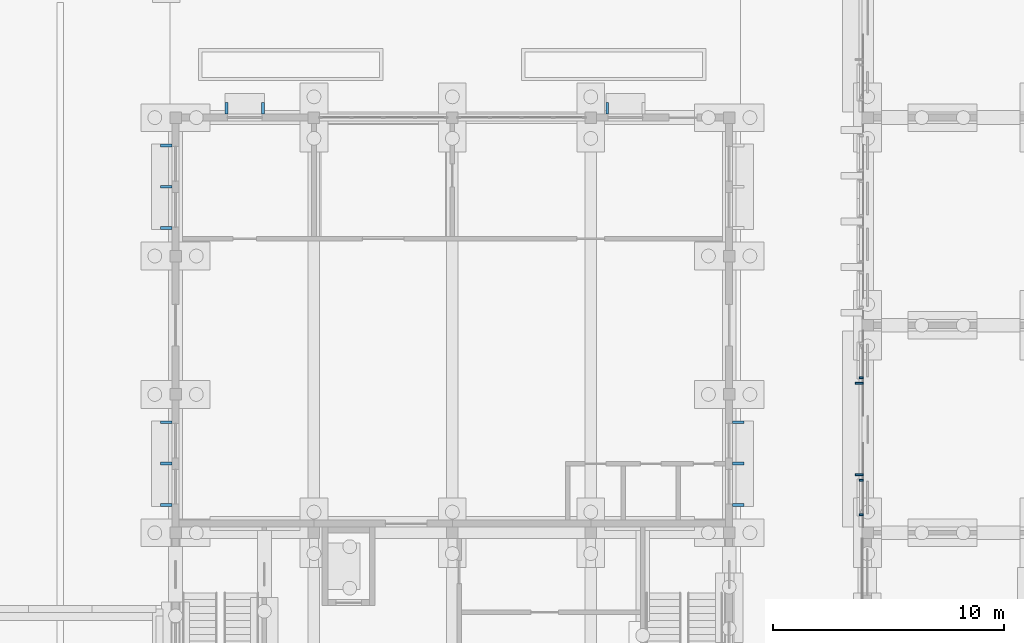
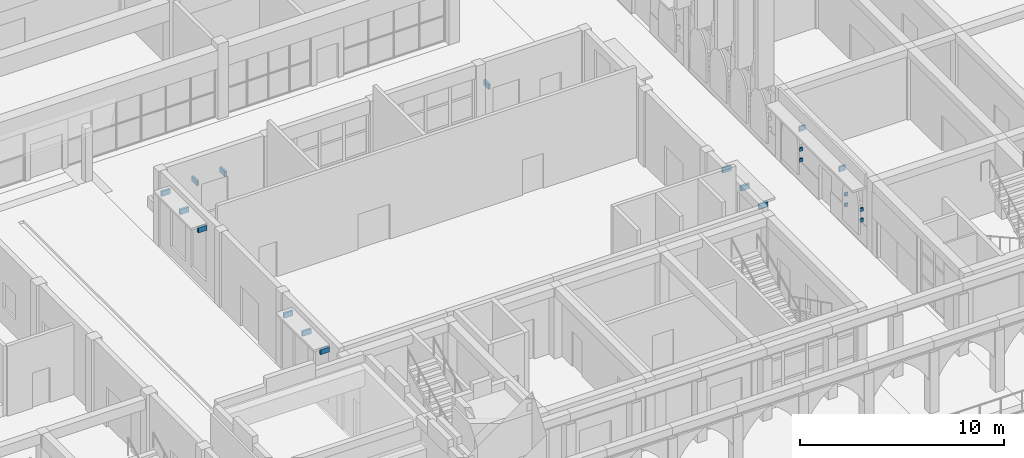
# One storey, part 78 of 161: 20 discrete accessories.
"""IFC4 building model written with IfcOpenShell, lengths in metres."""

import ifcopenshell
import ifcopenshell.guid

model = None  # the IFC model being written
_history = None  # IfcOwnerHistory: only IFC2X3 demands one
_inside = {}  # id of a spatial element -> (the spatial element, [elements in it])
_under = {}  # id of a project, library or spatial element -> (it, [spatial elements below it])
_declared = {}  # id of a project -> (the project, [libraries it declares])
_typed = {}  # id of a type object -> (the type object, [elements of that type])
_made_of = {}  # id of a material, layer set ... -> (it, [elements and type objects made of it])


def new_model(schema):
    """Start an empty IFC model of exactly this schema.

    Asked for "IFC4X3", IfcOpenShell would pick the latest addendum, in which some entities
    have other attributes; the version numbers below select the first issue.
    IFC2X3 requires an IfcOwnerHistory on every rooted entity: one is made here for all.
    """
    global model, _history
    if schema == "IFC4X3":
        model = ifcopenshell.file(schema_version=(4, 3, 0, 0))
    else:
        model = ifcopenshell.file(schema=schema)
    _inside.clear()
    _under.clear()
    _declared.clear()
    _typed.clear()
    _made_of.clear()
    _history = None
    if model.schema == "IFC2X3":
        org = make("IfcOrganization", Name="unknown")
        user = make(
            "IfcPersonAndOrganization",
            ThePerson=make("IfcPerson", FamilyName="unknown"),
            TheOrganization=org,
        )
        app = make(
            "IfcApplication",
            ApplicationDeveloper=org,
            Version="unknown",
            ApplicationFullName="unknown",
            ApplicationIdentifier="unknown",
        )
        _history = make(
            "IfcOwnerHistory",
            OwningUser=user,
            OwningApplication=app,
            ChangeAction="ADDED",
            CreationDate=0,
        )
    return model


def make(cls, **values):
    """One entity of the class cls with the attributes given. An attribute that is None is left unset."""
    return model.create_entity(
        cls, **{name: value for name, value in values.items() if value is not None}
    )


def rooted(cls, **values):
    """An entity with a GlobalId (a new one), such as an element, a storey or a relation."""
    return make(cls, GlobalId=ifcopenshell.guid.new(), OwnerHistory=_history, **values)


def si_unit(unit_type, name, prefix=None):
    """IfcSIUnit, for example si_unit("LENGTHUNIT", "METRE", prefix="MILLI")."""
    return make("IfcSIUnit", UnitType=unit_type, Prefix=prefix, Name=name)


def assignment(units):
    """IfcUnitAssignment: the units of a project."""
    return None if units is None else make("IfcUnitAssignment", Units=units)


def point(xyz):
    """IfcCartesianPoint."""
    return None if xyz is None else make("IfcCartesianPoint", Coordinates=xyz)


def direction(xyz):
    """IfcDirection."""
    return None if xyz is None else make("IfcDirection", DirectionRatios=xyz)


def frame(location, z_axis=None, x_axis=None):
    """IfcAxis2Placement3D, a coordinate frame: its origin and axes. An axis left out is left unset."""
    return make(
        "IfcAxis2Placement3D",
        Location=point(location),
        Axis=direction(z_axis),
        RefDirection=direction(x_axis),
    )


def frame_2d(location, x_axis=None):
    """IfcAxis2Placement2D, a coordinate frame in the plane: its origin and x axis."""
    return make(
        "IfcAxis2Placement2D", Location=point(location), RefDirection=direction(x_axis)
    )


def origin():
    """The frame at (0, 0, 0) with its axes left unset."""
    return frame((0.0, 0.0, 0.0))


def origin_2d():
    """The frame at (0, 0) in the plane with its x axis left unset."""
    return frame_2d((0.0, 0.0))


def place(relative_to, where):
    """IfcLocalPlacement: puts the frame where relative to a parent placement (None: the world)."""
    return make(
        "IfcLocalPlacement", PlacementRelTo=relative_to, RelativePlacement=where
    )


def context(
    kind, dimensions, precision=None, world=None, true_north=None, identifier=None
):
    """IfcGeometricRepresentationContext, for example the 3D "Model" context."""
    return make(
        "IfcGeometricRepresentationContext",
        ContextIdentifier=identifier,
        ContextType=kind,
        CoordinateSpaceDimension=dimensions,
        Precision=precision,
        WorldCoordinateSystem=world,
        TrueNorth=true_north,
    )


def subcontext(parent, identifier, kind, view, scale=None):
    """IfcGeometricRepresentationSubContext, for example "Body" below "Model"."""
    return make(
        "IfcGeometricRepresentationSubContext",
        ContextIdentifier=identifier,
        ContextType=kind,
        ParentContext=parent,
        TargetScale=scale,
        TargetView=view,
    )


def project(units=None, contexts=None):
    """IfcProject with its units and contexts."""
    return rooted(
        "IfcProject",
        Name="project",
        RepresentationContexts=contexts,
        UnitsInContext=assignment(units),
    )


def spatial(cls, under=None, at=None, **own):
    """A site, building, storey or space (cls), placed at a placement, below another one or the project."""
    s = rooted(cls, ObjectPlacement=at, **own)
    if under is not None:
        _under.setdefault(under.id(), (under, []))[1].append(s)
    return s


def profile(cls, at=None, kind="AREA", **sizes):
    """A parametric profile (cls). Its sizes go by their IFC names, for example OverallWidth=200.0."""
    return make(cls, ProfileType=kind, Position=at, **sizes)


def rectangle(**sizes):
    """IfcRectangleProfileDef."""
    return profile("IfcRectangleProfileDef", **sizes)


def extrude(swept, where, along, depth):
    """IfcExtrudedAreaSolid: the profile swept, set in the frame where, extruded along a direction by depth."""
    return make(
        "IfcExtrudedAreaSolid",
        SweptArea=swept,
        Position=where,
        ExtrudedDirection=direction(along),
        Depth=depth,
    )


def shape(context_of_items, identifier, shape_type, items):
    """IfcShapeRepresentation: the items that make up one representation, for example the "Body"."""
    return make(
        "IfcShapeRepresentation",
        ContextOfItems=context_of_items,
        RepresentationIdentifier=identifier,
        RepresentationType=shape_type,
        Items=items,
    )


def material(Name=None, Category=None):
    """IfcMaterial."""
    return make("IfcMaterial", Name=Name, Category=Category)


def made_of(thing, what):
    """Note that an element or type object is made of a material, layer set ...; save() writes the relation."""
    if what is not None:
        _made_of.setdefault(what.id(), (what, []))[1].append(thing)
    return thing


def type_object(cls, material=None, **own):
    """A type object (cls), such as IfcWallType, which elements share."""
    return made_of(rooted(cls, **own), material)


def element(
    cls,
    number,
    at=None,
    inside=None,
    cuts=None,
    type_object=None,
    material=None,
    context=None,
    identifier="Body",
    shape_type=None,
    held_by="IfcProductDefinitionShape",
    body=None,
    shapes=None,
    **own,
):
    """One element of the class cls, such as IfcWall. Its Tag is "e" and its number.

    at: its placement. inside: the storey or other place that contains it. cuts: it is an
    opening in that element (IfcRelVoidsElement). A single representation is given by context,
    identifier, shape_type and body (its items); several are given by shapes. held_by: the class
    of the entity that holds the representations. save() writes the other relations.
    """
    e = rooted(cls, Tag="e%d" % number, ObjectPlacement=at, **own)
    if body is not None:
        shapes = [shape(context, identifier, shape_type, body)]
    if shapes is not None:
        e.Representation = make(held_by, Representations=shapes)
    if inside is not None:
        _inside.setdefault(inside.id(), (inside, []))[1].append(e)
    if cuts is not None:
        rooted(
            "IfcRelVoidsElement", RelatingBuildingElement=cuts, RelatedOpeningElement=e
        )
    if type_object is not None:
        _typed.setdefault(type_object.id(), (type_object, []))[1].append(e)
    return made_of(e, material)


def aggregate(whole, parts):
    """IfcRelAggregates: a whole, such as a stair, and the parts it consists of."""
    return rooted("IfcRelAggregates", RelatingObject=whole, RelatedObjects=parts)


def save(model, path):
    """Write the relations noted so far, then the file.

    IfcRelAggregates (storeys below a building ...), IfcRelContainedInSpatialStructure (elements
    in a storey), IfcRelDefinesByType, IfcRelAssociatesMaterial and IfcRelDeclares: one each for
    every whole, place, type object, material and project.
    """
    for whole, parts in _under.values():
        aggregate(whole, parts)
    for where, things in _inside.values():
        rooted(
            "IfcRelContainedInSpatialStructure",
            RelatedElements=things,
            RelatingStructure=where,
        )
    for kind, things in _typed.values():
        rooted("IfcRelDefinesByType", RelatedObjects=things, RelatingType=kind)
    for what, things in _made_of.values():
        rooted("IfcRelAssociatesMaterial", RelatedObjects=things, RelatingMaterial=what)
    for by, libraries in _declared.values():
        rooted("IfcRelDeclares", RelatingContext=by, RelatedDefinitions=libraries)
    model.write(path)


model = new_model("IFC4")

# Units and contexts
model_context = context("Model", 3, precision=1e-05, world=origin(), true_north=direction((0.0, 1.0)))
body_context = subcontext(model_context, "Body", "Model", "MODEL_VIEW")
ifc_project = project(units=[si_unit("LENGTHUNIT", "METRE"), si_unit("AREAUNIT", "SQUARE_METRE"), si_unit("VOLUMEUNIT", "CUBIC_METRE"), si_unit("PLANEANGLEUNIT", "RADIAN"), si_unit("MASSUNIT", "GRAM", prefix="KILO")], contexts=[model_context])

# Site, building, storey
site_placement = place(None, origin())
site = spatial("IfcSite", under=ifc_project, at=site_placement, CompositionType="ELEMENT")
building_placement = place(site_placement, origin())
building = spatial("IfcBuilding", under=site, at=building_placement, Name="Elbe Cascade School", CompositionType="ELEMENT")
storey_placement = place(building_placement, origin())
storey = spatial("IfcBuildingStorey", under=building, at=storey_placement, Name="L00", CompositionType="ELEMENT", Elevation=0.0)

# Discrete accessories
ifc_material_1 = material(Name="Steel S355J2, hot-dip galvanised", Category="steel")
discrete_accessory_type_1 = type_object("IfcDiscreteAccessoryType", Name="Bars envelope Bracket, galvanised steel", PredefinedType="BRACKET", material=ifc_material_1)
for number, where, z_axis, x_axis, name in (
    (1, (68.64501953125, 17.52001953125, 3.330078125), (0.0, 0.0, 1.0), (0.0, 1.0, 0.0), "Bracket AC7 eave.w.2.br1"),
    (2, (68.64501953125, 21.47998046875, 3.330078125), (0.0, 0.0, 1.0), (0.0, 1.0, 0.0), "Bracket AC7 eave.w.2.br2"),
):
    element("IfcDiscreteAccessory", number, at=place(storey_placement, frame(where, z_axis=z_axis, x_axis=x_axis)), inside=storey, type_object=discrete_accessory_type_1, Name=name, PredefinedType="BRACKET", context=body_context, shape_type="SweptSolid", body=[
        extrude(rectangle(XDim=0.080078125, YDim=0.35009765625, at=origin_2d()), origin(), (0.0, 0.0, 1.0), 0.300048828125),
    ])
for number, where, z_axis, x_axis, name in (
    (3, (68.72998046875, 15.780029296875, 1.2998046875), (0.0, 0.0, 1.0), (0.0, 1.0, 0.0), "Bracket AC7 jali.w.2.br1ll"),
    (4, (68.72998046875, 15.780029296875, 1.93994140625), (0.0, 0.0, 1.0), (0.0, 1.0, 0.0), "Bracket AC7 jali.w.2.br1lu"),
    (5, (68.72998046875, 17.280029296875, 1.2998046875), (0.0, 0.0, 1.0), (0.0, 1.0, 0.0), "Bracket AC7 jali.w.2.br1rl"),
    (6, (68.72998046875, 17.280029296875, 1.93994140625), (0.0, 0.0, 1.0), (0.0, 1.0, 0.0), "Bracket AC7 jali.w.2.br1ru"),
    (7, (68.72998046875, 21.719970703125, 1.2998046875), (0.0, 0.0, 1.0), (0.0, 1.0, 0.0), "Bracket AC7 jali.w.2.br4ll"),
    (8, (68.72998046875, 21.719970703125, 1.93994140625), (0.0, 0.0, 1.0), (0.0, 1.0, 0.0), "Bracket AC7 jali.w.2.br4lu"),
):
    element("IfcDiscreteAccessory", number, at=place(storey_placement, frame(where, z_axis=z_axis, x_axis=x_axis)), inside=storey, type_object=discrete_accessory_type_1, Name=name, PredefinedType="BRACKET", context=body_context, shape_type="SweptSolid", body=[
        extrude(rectangle(XDim=0.080078125, YDim=0.179931640625, at=origin_2d()), origin(), (0.0, 0.0, 1.0), 0.199951171875),
    ])
ifc_material_2 = material(Name="Precast concrete C30/37", Category="concrete")
discrete_accessory_type_2 = type_object("IfcDiscreteAccessoryType", Name="Dining chhajja bracket", PredefinedType="BRACKET", material=ifc_material_2)
for number, where, z_axis, x_axis, name in (
    (9, (38.60009765625, 16.2099609375, 3.75), (0.0, 0.0, 1.0), (1.0, 0.0, 0.0), "Dining chhajja bracket AC9"),
    (10, (38.60009765625, 18.0, 3.75), (0.0, 0.0, 1.0), (1.0, 0.0, 0.0), "Dining chhajja bracket AC9"),
    (11, (38.60009765625, 19.7900390625, 3.75), (0.0, 0.0, 1.0), (1.0, 0.0, 0.0), "Dining chhajja bracket AC9"),
    (12, (38.60009765625, 28.2099609375, 3.75), (0.0, 0.0, 1.0), (1.0, 0.0, 0.0), "Dining chhajja bracket AC9"),
    (13, (38.60009765625, 30.0, 3.75), (0.0, 0.0, 1.0), (1.0, 0.0, 0.0), "Dining chhajja bracket AC9"),
    (14, (38.60009765625, 31.7900390625, 3.75), (0.0, 0.0, 1.0), (1.0, 0.0, 0.0), "Dining chhajja bracket AC9"),
    (15, (63.39990234375, 16.2099609375, 3.75), (0.0, 0.0, 1.0), (1.0, 0.0, 0.0), "Dining chhajja bracket AC9"),
    (16, (63.39990234375, 18.0, 3.75), (0.0, 0.0, 1.0), (1.0, 0.0, 0.0), "Dining chhajja bracket AC9"),
    (17, (63.39990234375, 19.7900390625, 3.75), (0.0, 0.0, 1.0), (1.0, 0.0, 0.0), "Dining chhajja bracket AC9"),
):
    element("IfcDiscreteAccessory", number, at=place(storey_placement, frame(where, z_axis=z_axis, x_axis=x_axis)), inside=storey, type_object=discrete_accessory_type_2, Name=name, PredefinedType="BRACKET", context=body_context, shape_type="SweptSolid", body=[
        extrude(rectangle(XDim=0.5, YDim=0.1201171875, at=origin_2d()), origin(), (0.0, 0.0, 1.0), 0.300048828125),
    ])
for number, where, z_axis, x_axis, name in (
    (18, (41.2099609375, 33.39990234375, 2.5498046875), (0.0, 0.0, 1.0), (1.0, 0.0, 0.0), "Dining chhajja bracket AC9"),
    (19, (42.7900390625, 33.39990234375, 2.5498046875), (0.0, 0.0, 1.0), (1.0, 0.0, 0.0), "Dining chhajja bracket AC9"),
    (20, (57.7099609375, 33.39990234375, 2.5498046875), (0.0, 0.0, 1.0), (1.0, 0.0, 0.0), "Dining chhajja bracket AC9"),
):
    element("IfcDiscreteAccessory", number, at=place(storey_placement, frame(where, z_axis=z_axis, x_axis=x_axis)), inside=storey, type_object=discrete_accessory_type_2, Name=name, PredefinedType="BRACKET", context=body_context, shape_type="SweptSolid", body=[
        extrude(rectangle(XDim=0.1201171875, YDim=0.5, at=origin_2d()), origin(), (0.0, 0.0, 1.0), 0.300048828125),
    ])

save(model, "model.ifc")
